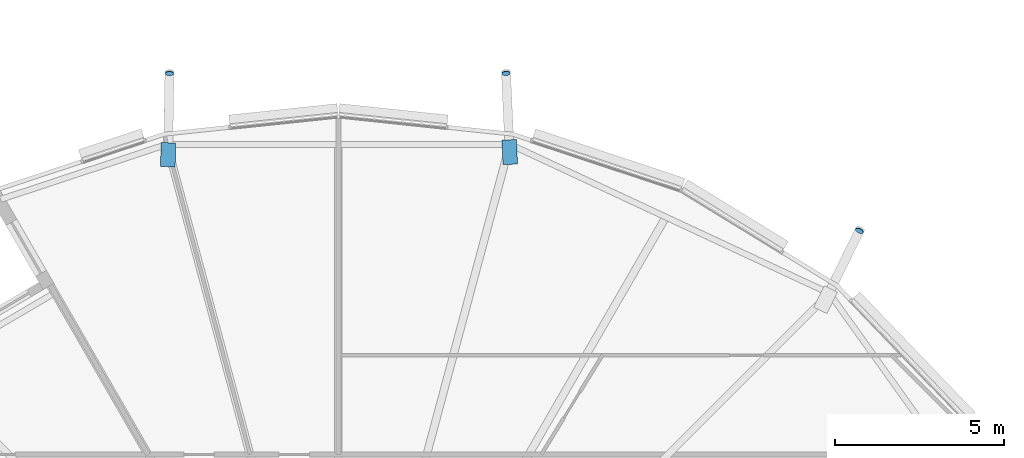
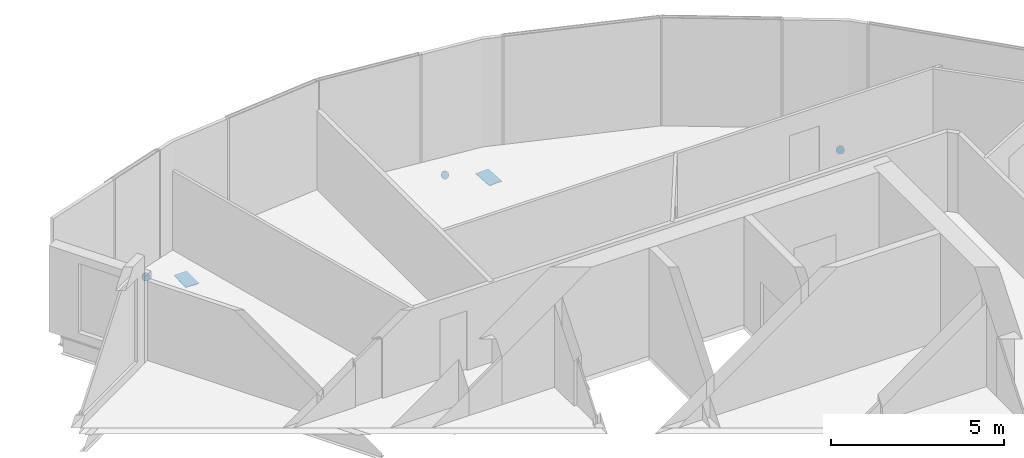
# One storey, part 27 of 36: 5 discrete accessories.
"""IFC4 building model written with IfcOpenShell, lengths in metres."""

from ifc_helpers import new_model, si_unit, direction, frame, origin, origin_2d, place, context, subcontext, project, spatial, polyline, rectangle, circle, outline, extrude, material, material_profile, profile_set, type_object, element, save


model = new_model("IFC4")

# Units and contexts
model_context = context("Model", 3, precision=1e-05, world=origin(), true_north=direction((0.0, 1.0)))
body_context = subcontext(model_context, "Body", "Model", "MODEL_VIEW")
ifc_project = project(units=[si_unit("LENGTHUNIT", "METRE"), si_unit("AREAUNIT", "SQUARE_METRE"), si_unit("VOLUMEUNIT", "CUBIC_METRE"), si_unit("PLANEANGLEUNIT", "RADIAN"), si_unit("MASSUNIT", "GRAM", prefix="KILO")], contexts=[model_context])

# Site, building, storey
site_placement = place(None, origin())
site = spatial("IfcSite", under=ifc_project, at=site_placement, CompositionType="ELEMENT")
building_placement = place(site_placement, origin())
building = spatial("IfcBuilding", under=site, at=building_placement, Name="Rimbun Link Towers", CompositionType="ELEMENT")
storey_placement = place(building_placement, frame((0.0, 0.0, 174.10009765625)))
storey = spatial("IfcBuildingStorey", under=building, at=storey_placement, Name="L42", CompositionType="ELEMENT", Elevation=174.10009765625)

# Discrete accessories
ifc_material_1 = material(Name="Steel S355J2H", Category="steel")
ifc_material_profile_1 = material_profile(ifc_material_1, circle(Radius=0.1240234375, at=origin_2d()), Name="PL D248")
ifc_profile_set_1 = profile_set([ifc_material_profile_1], Name="Steel S355J2H")
discrete_accessory_type_1 = type_object("IfcDiscreteAccessoryType", Name="Link foot sealing plate D248X20", PredefinedType="BRACKET", material=ifc_profile_set_1)
discrete_accessory_1_placement = place(storey_placement, frame((-16.313232421875, 16.39794921875, -2.005126953125), z_axis=(0.383623411563, 0.779621771885, -0.494997950403), x_axis=(-0.897257484736, 0.441507651219, 0.0)))
element("IfcDiscreteAccessory", 1, at=discrete_accessory_1_placement, inside=storey, type_object=discrete_accessory_type_1, Name="Link foot sealing plate T1 L42 03", PredefinedType="BRACKET", context=body_context, shape_type="SweptSolid", body=[
    extrude(circle(Radius=0.1240234375, at=origin_2d()), origin(), (0.0, 0.0, 1.0), 0.019775390625),
])
for number, where, z_axis, x_axis, name in (
    (2, (-26.782470703125, 21.06201171875, -2.0517578125), (-0.048791373472, 0.878244722495, -0.475715891351), (-0.998460353205, -0.055470019623, 0.0), "Link foot sealing plate T1 L42 05"),
    (3, (-36.7568359375, 21.057861328125, -2.143310546875), (0.012196028888, 0.86591805103, -0.500037184397), (-0.999900828085, 0.014083110255, 0.0), "Link foot sealing plate T1 L42 07"),
):
    element("IfcDiscreteAccessory", number, at=place(storey_placement, frame(where, z_axis=z_axis, x_axis=x_axis)), inside=storey, type_object=discrete_accessory_type_1, Name=name, PredefinedType="BRACKET", context=body_context, shape_type="SweptSolid", body=[
        extrude(circle(Radius=0.1240234375, at=origin_2d()), origin(), (0.0, 0.0, 1.0), 0.02001953125),
    ])
ifc_material_2 = material(Name="Steel S355J2H", Category="steel")
ifc_material_profile_2 = material_profile(ifc_material_2, rectangle(XDim=0.43310546875, YDim=0.43310546875, at=origin_2d()), Name="PL 433x433")
ifc_profile_set_2 = profile_set([ifc_material_profile_2], Name="Steel S355J2H")
discrete_accessory_type_2 = type_object("IfcDiscreteAccessoryType", Name="Link head end plate 433X20", PredefinedType="BRACKET", material=ifc_profile_set_2)
discrete_accessory_2_placement = place(storey_placement, frame((0.0, 0.0, -0.772705078125)))
element("IfcDiscreteAccessory", 4, at=discrete_accessory_2_placement, inside=storey, type_object=discrete_accessory_type_2, Name="Link head end plate T1 L42 05", PredefinedType="BRACKET", context=body_context, shape_type="SweptSolid", body=[
    extrude(outline(polyline([(-26.440185546875, 18.3798828125), (-26.474365234375, 19.106689453125), (-26.906982421875, 19.08642578125), (-26.872802734375, 18.359619140625), (-26.440185546875, 18.3798828125)])), origin(), (0.0, 0.0, 1.0), 0.02001953125),
])
discrete_accessory_3_placement = place(storey_placement, frame((0.0, 0.0, -0.772705078125)))
element("IfcDiscreteAccessory", 5, at=discrete_accessory_3_placement, inside=storey, type_object=discrete_accessory_type_2, Name="Link head end plate T1 L42 07", PredefinedType="BRACKET", context=body_context, shape_type="SweptSolid", body=[
    extrude(outline(polyline([(-36.587158203125, 18.29541015625), (-36.5751953125, 19.00634765625), (-37.008056640625, 19.013671875), (-37.02001953125, 18.302734375), (-36.587158203125, 18.29541015625)])), origin(), (0.0, 0.0, 1.0), 0.02001953125),
])

save(model, "model.ifc")
